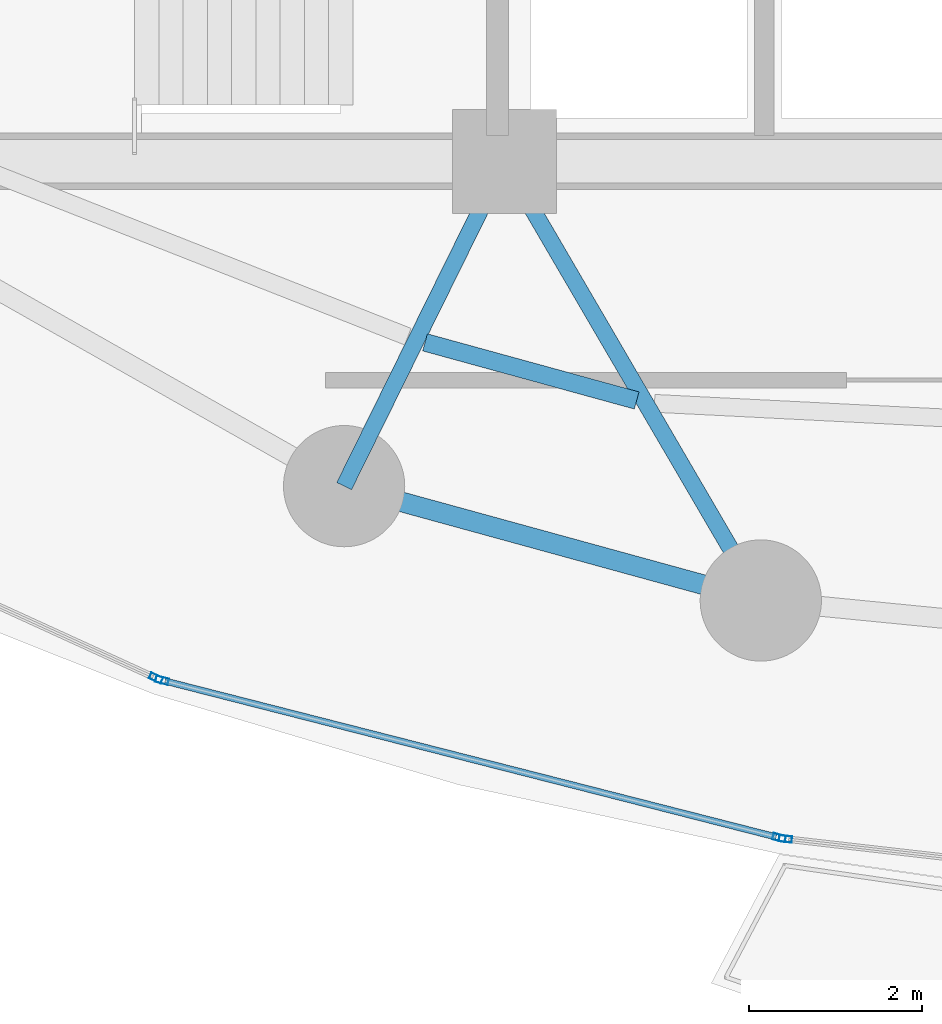
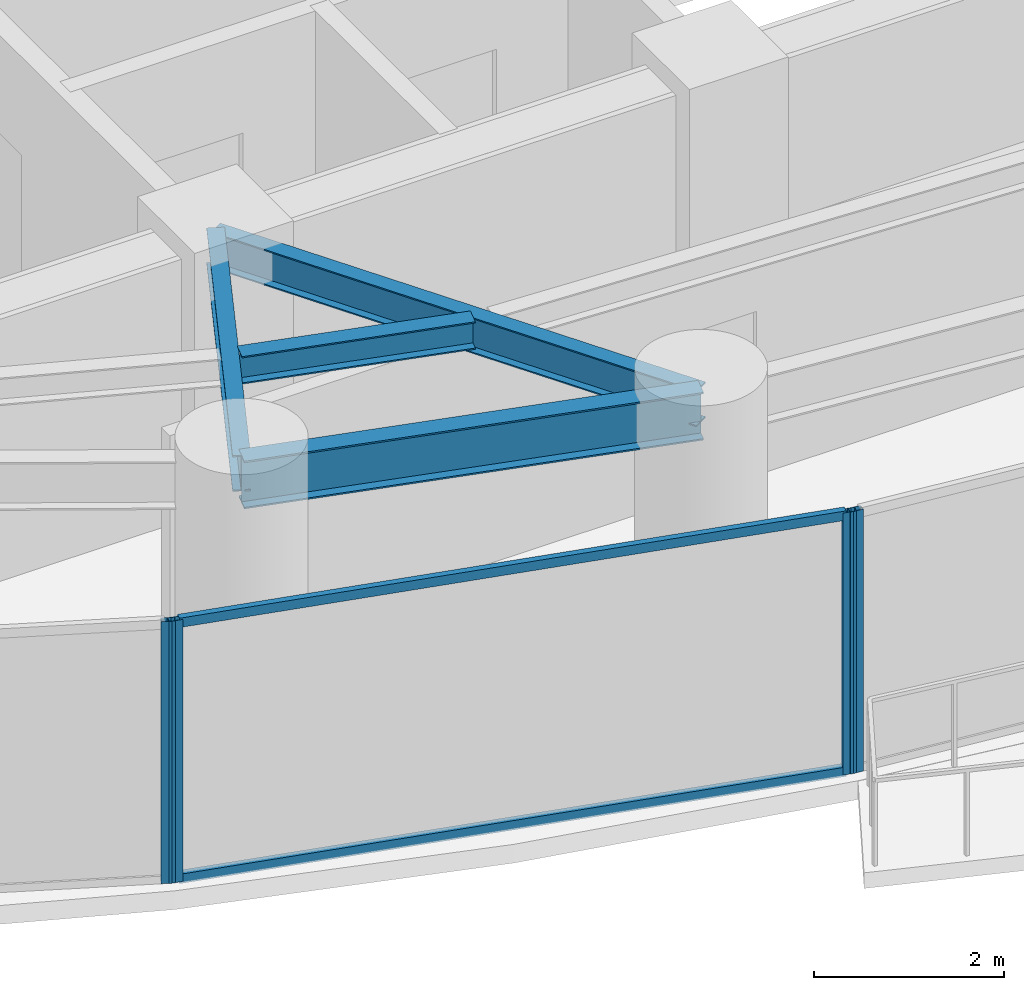
# One storey, part 5 of 31: 6 members, 4 beams, 3 elements without a shape of their own.
"""IFC4 building model written with IfcOpenShell, lengths in metres."""

from ifc_helpers import new_model, si_unit, direction, frame, origin, origin_2d, place, context, subcontext, project, spatial, hollow_rectangle, i_section, extrude, material, layer, layer_set, material_profile, profile_set, type_object, element, aggregate, save


model = new_model("IFC4")

# Units and contexts
model_context = context("Model", 3, precision=1e-05, world=origin(), true_north=direction((0.0, 1.0)))
body_context = subcontext(model_context, "Body", "Model", "MODEL_VIEW")
ifc_project = project(units=[si_unit("LENGTHUNIT", "METRE"), si_unit("AREAUNIT", "SQUARE_METRE"), si_unit("VOLUMEUNIT", "CUBIC_METRE"), si_unit("PLANEANGLEUNIT", "RADIAN"), si_unit("MASSUNIT", "GRAM", prefix="KILO")], contexts=[model_context])

# Site, building, storey
site_placement = place(None, origin())
site = spatial("IfcSite", under=ifc_project, at=site_placement, CompositionType="ELEMENT")
building_placement = place(site_placement, origin())
building = spatial("IfcBuilding", under=site, at=building_placement, Name="Kazevale Care Tower and Concert Hall", CompositionType="ELEMENT")
storey_placement = place(building_placement, frame((0.0, 0.0, 60.0)))
storey = spatial("IfcBuildingStorey", under=building, at=storey_placement, Name="L15", CompositionType="ELEMENT", Elevation=60.0)

# Curtain wall, member
ifc_material_1 = material(Name="Aluminium 6063-T6 and Low-E Glass", Category="aluminium")
ifc_layer = layer(ifc_material_1, 0.179931640625)
ifc_layer_set = layer_set([ifc_layer], Name="Aluminium 6063-T6 and Low-E Glass")
curtain_wall_type = type_object("IfcCurtainWallType", Name="Sheltered Concave Balcony Curtain Wall CW-5", PredefinedType="NOTDEFINED", material=ifc_layer_set)
curtain_wall_1_placement = place(storey_placement, origin())
curtain_wall_1 = element("IfcCurtainWall", 1, at=curtain_wall_1_placement, inside=storey, type_object=curtain_wall_type, Name="cw:L15:f07", PredefinedType="NOTDEFINED")
ifc_material_2 = material(Name="Aluminium 6063-T6", Category="aluminium")
ifc_material_profile_1 = material_profile(ifc_material_2, hollow_rectangle(XDim=0.074951171875, YDim=0.14990234375, WallThickness=0.00390625, at=origin_2d()), Name="ALU75x150x4")
ifc_profile_set_1 = profile_set([ifc_material_profile_1], Name="Aluminium 6063-T6")
member_type_1 = type_object("IfcMemberType", Name="CW-5 Mullion ALU75x150x4", PredefinedType="MULLION", material=ifc_profile_set_1)
member_1_placement = place(storey_placement, frame((33.245361328125, 15.77783203125, 0.0), z_axis=(0.0, 0.0, 1.0), x_axis=(-0.113704773808, -0.993514581883, 0.0)))
member_1 = element("IfcMember", 2, at=member_1_placement, type_object=member_type_1, Name="CW-5 mullion 2", PredefinedType="MULLION", context=body_context, shape_type="SweptSolid", body=[
    extrude(hollow_rectangle(XDim=0.074951171875, YDim=0.14990234375, WallThickness=0.00390625, at=origin_2d()), origin(), (0.0, 0.0, 1.0), 3.360107421875),
])
aggregate(curtain_wall_1, [member_1])

# Curtain wall, members
curtain_wall_2_placement = place(storey_placement, origin())
curtain_wall_2 = element("IfcCurtainWall", 3, at=curtain_wall_2_placement, inside=storey, type_object=curtain_wall_type, Name="cw:L15:f08", PredefinedType="NOTDEFINED")
member_2_placement = place(storey_placement, frame((33.171630859375, 15.791259765625, 0.0), z_axis=(0.0, 0.0, 1.0), x_axis=(-0.247221864936, -0.968958899798, 0.0)))
member_2 = element("IfcMember", 4, at=member_2_placement, type_object=member_type_1, Name="CW-5 mullion 1", PredefinedType="MULLION", context=body_context, shape_type="SweptSolid", body=[
    extrude(hollow_rectangle(XDim=0.074951171875, YDim=0.14990234375, WallThickness=0.00390625, at=origin_2d()), origin(), (0.0, 0.0, 1.0), 3.360107421875),
])
member_3_placement = place(storey_placement, frame((26.04833984375, 17.608642578125, 0.0), z_axis=(0.0, 0.0, 1.0), x_axis=(-0.247221864936, -0.968958899798, 0.0)))
member_3 = element("IfcMember", 5, at=member_3_placement, type_object=member_type_1, Name="CW-5 mullion 2", PredefinedType="MULLION", context=body_context, shape_type="SweptSolid", body=[
    extrude(hollow_rectangle(XDim=0.074951171875, YDim=0.14990234375, WallThickness=0.00390625, at=origin_2d()), origin(), (0.0, 0.0, 1.0), 3.360107421875),
])

# Curtain wall, member
curtain_wall_3_placement = place(storey_placement, origin())
curtain_wall_3 = element("IfcCurtainWall", 6, at=curtain_wall_3_placement, inside=storey, type_object=curtain_wall_type, Name="cw:L15:f09", PredefinedType="NOTDEFINED")
member_4_placement = place(storey_placement, frame((25.977783203125, 17.633544921875, 0.0), z_axis=(0.0, 0.0, 1.0), x_axis=(-0.415659767773, -0.909520179795, 0.0)))
member_4 = element("IfcMember", 7, at=member_4_placement, type_object=member_type_1, Name="CW-5 mullion 1", PredefinedType="MULLION", context=body_context, shape_type="SweptSolid", body=[
    extrude(hollow_rectangle(XDim=0.074951171875, YDim=0.14990234375, WallThickness=0.00390625, at=origin_2d()), origin(), (0.0, 0.0, 1.0), 3.360107421875),
])
aggregate(curtain_wall_3, [member_4])

# Member
ifc_material_profile_2 = material_profile(ifc_material_2, hollow_rectangle(XDim=0.074951171875, YDim=0.1201171875, WallThickness=0.00390625, at=origin_2d()), Name="ALU75x120x4")
ifc_profile_set_2 = profile_set([ifc_material_profile_2], Name="Aluminium 6063-T6")
member_type_2 = type_object("IfcMemberType", Name="CW-5 Transom ALU75x120x4", PredefinedType="USERDEFINED", material=ifc_profile_set_2)
member_5_placement = place(storey_placement, frame((33.13525390625, 15.800537109375, 0.03759765625), z_axis=(-0.968960816419, 0.24721435283, 0.0), x_axis=(-0.24721435283, -0.968960816419, 0.0)))
member_5 = element("IfcMember", 8, at=member_5_placement, type_object=member_type_2, Name="CW-5 transom 1.1", ObjectType="TRANSOM", PredefinedType="USERDEFINED", context=body_context, shape_type="SweptSolid", body=[
    extrude(hollow_rectangle(XDim=0.074951171875, YDim=0.1201171875, WallThickness=0.00390625, at=origin_2d()), origin(), (0.0, 0.0, 1.0), 7.2763671875),
])

member_6_placement = place(storey_placement, frame((33.13525390625, 15.800537109375, 3.322509765625), z_axis=(-0.968960816419, 0.24721435283, 0.0), x_axis=(-0.24721435283, -0.968960816419, 0.0)))
member_6 = element("IfcMember", 9, at=member_6_placement, type_object=member_type_2, Name="CW-5 transom 1.2", ObjectType="TRANSOM", PredefinedType="USERDEFINED", context=body_context, shape_type="SweptSolid", body=[
    extrude(hollow_rectangle(XDim=0.074951171875, YDim=0.1201171875, WallThickness=0.00390625, at=origin_2d()), origin(), (0.0, 0.0, 1.0), 7.2763671875),
])

aggregate(curtain_wall_2, [member_2, member_3, member_5, member_6])

# Beams
ifc_material_3 = material(Name="Steel ASTM A572 Gr 50", Category="steel")
ifc_material_profile_3 = material_profile(ifc_material_3, i_section(OverallWidth=0.19091796875, OverallDepth=0.4599609375, WebThickness=0.010009765625, FlangeThickness=0.01611328125, at=origin_2d()), Name="W460x82")
ifc_profile_set_3 = profile_set([ifc_material_profile_3], Name="Steel ASTM A572 Gr 50")
beam_type_1 = type_object("IfcBeamType", Name="Radial Floor Beam W460x82", PredefinedType="BEAM", material=ifc_profile_set_3)
beam_1_placement = place(storey_placement, frame((30.0, 23.60009765625, 3.1298828125), z_axis=(-0.442443019162, -0.896796618412, 0.0), x_axis=(0.896796618412, -0.442443019162, 0.0)))
element("IfcBeam", 10, at=beam_1_placement, inside=storey, type_object=beam_type_1, Name="beam:L15:rad:11", PredefinedType="BEAM", context=body_context, shape_type="SweptSolid", body=[
    extrude(i_section(OverallWidth=0.19091796875, OverallDepth=0.4599609375, WebThickness=0.010009765625, FlangeThickness=0.01611328125, at=origin_2d()), origin(), (0.0, 0.0, 1.0), 4.181640625),
])
beam_2_placement = place(storey_placement, frame((30.0, 23.60009765625, 3.1298828125), z_axis=(0.50417868077, -0.86359936189, 0.0), x_axis=(0.86359936189, 0.50417868077, 0.0)))
element("IfcBeam", 11, at=beam_2_placement, inside=storey, type_object=beam_type_1, Name="beam:L15:rad:12", PredefinedType="BEAM", context=body_context, shape_type="SweptSolid", body=[
    extrude(i_section(OverallWidth=0.19091796875, OverallDepth=0.4599609375, WebThickness=0.010009765625, FlangeThickness=0.01611328125, at=origin_2d()), origin(), (0.0, 0.0, 1.0), 5.870849609375),
])
ifc_material_profile_4 = material_profile(ifc_material_3, i_section(OverallWidth=0.22900390625, OverallDepth=0.612060546875, WebThickness=0.011962890625, FlangeThickness=0.01953125, at=origin_2d()), Name="W610x125")
ifc_profile_set_4 = profile_set([ifc_material_profile_4], Name="Steel ASTM A572 Gr 50")
beam_type_2 = type_object("IfcBeamType", Name="Ring Spandrel Beam W610x125", PredefinedType="SPANDREL", material=ifc_profile_set_4)
beam_3_placement = place(storey_placement, frame((28.14990234375, 19.85009765625, 3.053955078125), z_axis=(0.964343540473, -0.264653615031, 0.0), x_axis=(0.264653615031, 0.964343540473, 0.0)))
element("IfcBeam", 12, at=beam_3_placement, inside=storey, type_object=beam_type_2, Name="beam:L15:ring:11", PredefinedType="SPANDREL", context=body_context, shape_type="SweptSolid", body=[
    extrude(i_section(OverallWidth=0.22900390625, OverallDepth=0.612060546875, WebThickness=0.011962890625, FlangeThickness=0.01953125, at=origin_2d()), origin(), (0.0, 0.0, 1.0), 4.98779296875),
])
ifc_material_profile_5 = material_profile(ifc_material_3, i_section(OverallWidth=0.205078125, OverallDepth=0.35400390625, WebThickness=0.009521484375, FlangeThickness=0.016845703125, at=origin_2d()), Name="W360x79")
ifc_profile_set_5 = profile_set([ifc_material_profile_5], Name="Steel ASTM A572 Gr 50")
beam_type_3 = type_object("IfcBeamType", Name="Secondary Floor Joist W360x79", PredefinedType="JOIST", material=ifc_profile_set_5)
beam_4_placement = place(storey_placement, frame((29.083984375, 21.510009765625, 3.18310546875), z_axis=(0.964302027389, -0.264804833743, 0.0), x_axis=(0.264804833743, 0.964302027389, 0.0)))
element("IfcBeam", 13, at=beam_4_placement, inside=storey, type_object=beam_type_3, Name="beam:L15:joist:11", PredefinedType="JOIST", context=body_context, shape_type="SweptSolid", body=[
    extrude(i_section(OverallWidth=0.205078125, OverallDepth=0.35400390625, WebThickness=0.009521484375, FlangeThickness=0.016845703125, at=origin_2d()), origin(), (0.0, 0.0, 1.0), 2.533447265625),
])

save(model, "model.ifc")
